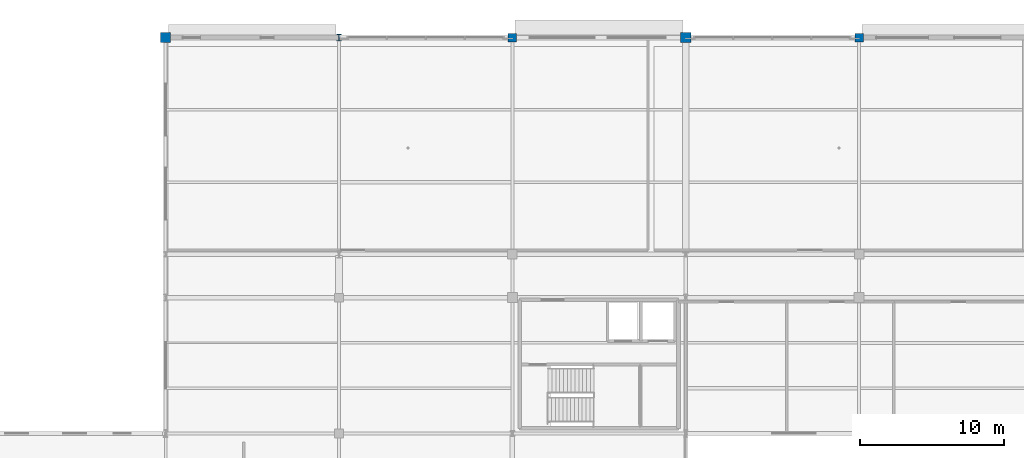
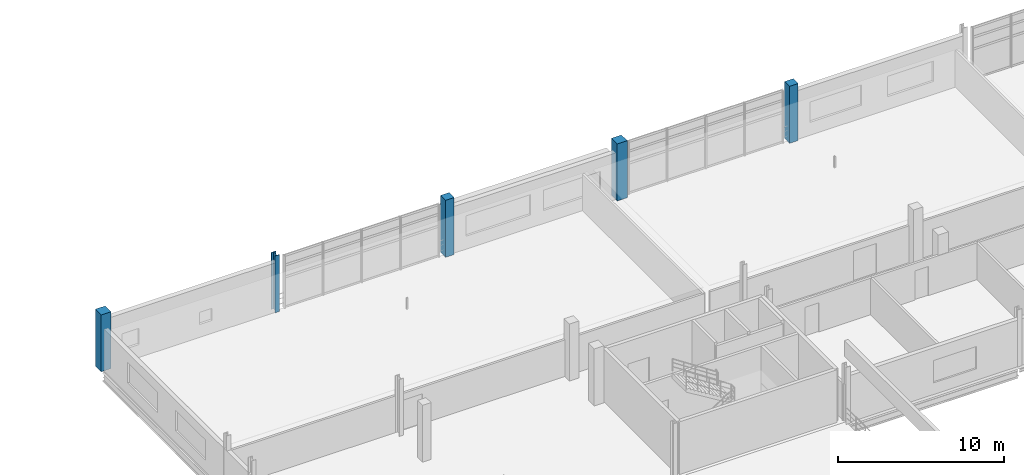
# One storey, part 23 of 89: 5 columns.
"""IFC4 building model written with IfcOpenShell, lengths in metres."""

from ifc_helpers import new_model, si_unit, direction, frame, origin, origin_2d, place, context, subcontext, project, spatial, rectangle, i_section, extrude, material, material_profile, profile_set, type_object, element, save


model = new_model("IFC4")

# Units and contexts
model_context = context("Model", 3, precision=1e-05, world=origin(), true_north=direction((0.0, 1.0)))
body_context = subcontext(model_context, "Body", "Model", "MODEL_VIEW")
ifc_project = project(units=[si_unit("LENGTHUNIT", "METRE"), si_unit("AREAUNIT", "SQUARE_METRE"), si_unit("VOLUMEUNIT", "CUBIC_METRE"), si_unit("PLANEANGLEUNIT", "RADIAN"), si_unit("MASSUNIT", "GRAM", prefix="KILO"), si_unit("THERMODYNAMICTEMPERATUREUNIT", "KELVIN"), si_unit("POWERUNIT", "WATT")], contexts=[model_context])

# Site, building, storey
site_placement = place(None, origin())
site = spatial("IfcSite", under=ifc_project, at=site_placement, CompositionType="ELEMENT")
building_placement = place(site_placement, origin())
building = spatial("IfcBuilding", under=site, at=building_placement, Name="Solmara Park Aquatics Centre", CompositionType="ELEMENT")
storey_placement = place(building_placement, frame((0.0, 0.0, 5.39990234375)))
storey = spatial("IfcBuildingStorey", under=building, at=storey_placement, Name="L01", CompositionType="ELEMENT", Elevation=5.39990234375)

# Columns
ifc_material_1 = material(Name="Structural Steel S355", Category="steel")
ifc_material_profile_1 = material_profile(ifc_material_1, i_section(OverallWidth=0.300048828125, OverallDepth=0.449951171875, WebThickness=0.013916015625, FlangeThickness=0.02587890625, FilletRadius=0.027099609375, at=origin_2d()), Name="HEB 450")
ifc_profile_set_1 = profile_set([ifc_material_profile_1], Name="Structural Steel S355")
column_type_1 = type_object("IfcColumnType", Name="STR-COL-HEB450", PredefinedType="COLUMN", material=ifc_profile_set_1)
column_placement = place(storey_placement, frame((36.60009765625, 136.0, 0.0), z_axis=(0.0, 0.0, 1.0), x_axis=(1.0, 0.0, 0.0)))
element("IfcColumn", 1, at=column_placement, inside=storey, type_object=column_type_1, Name="Column L01-0347", PredefinedType="COLUMN", context=body_context, shape_type="SweptSolid", body=[
    extrude(i_section(OverallWidth=0.300048828125, OverallDepth=0.449951171875, WebThickness=0.013916015625, FlangeThickness=0.02587890625, FilletRadius=0.027099609375, at=origin_2d()), origin(), (0.0, 0.0, 1.0), 4.2001953125),
])
ifc_material_2 = material(Name="Concrete C40/50", Category="concrete")
ifc_material_profile_2 = material_profile(ifc_material_2, rectangle(XDim=0.60009765625, YDim=0.60009765625, at=origin_2d()), Name="RC 600x600")
ifc_profile_set_2 = profile_set([ifc_material_profile_2], Name="Concrete C40/50")
column_type_2 = type_object("IfcColumnType", Name="STR-COL-RC600", PredefinedType="COLUMN", material=ifc_profile_set_2)
for number, where, z_axis, x_axis, name in (
    (2, (48.60009765625, 136.0, 0.0), (0.0, 0.0, 1.0), (1.0, 0.0, 0.0), "Column L01-0357"),
    (3, (72.60009765625, 136.0, 0.0), (0.0, 0.0, 1.0), (1.0, 0.0, 0.0), "Column L01-0375"),
):
    element("IfcColumn", number, at=place(storey_placement, frame(where, z_axis=z_axis, x_axis=x_axis)), inside=storey, type_object=column_type_2, Name=name, PredefinedType="COLUMN", context=body_context, shape_type="SweptSolid", body=[
        extrude(rectangle(XDim=0.60009765625, YDim=0.60009765625, at=origin_2d()), origin(), (0.0, 0.0, 1.0), 4.2001953125),
    ])
ifc_material_profile_3 = material_profile(ifc_material_2, rectangle(XDim=0.699951171875, YDim=0.699951171875, at=origin_2d()), Name="RC 700x700")
ifc_profile_set_3 = profile_set([ifc_material_profile_3], Name="Concrete C40/50")
column_type_3 = type_object("IfcColumnType", Name="STR-COL-RC700", PredefinedType="COLUMN", material=ifc_profile_set_3)
for number, where, z_axis, x_axis, name in (
    (4, (24.60009765625, 136.0, 0.0), (0.0, 0.0, 1.0), (1.0, 0.0, 0.0), "Column L01-0337"),
    (5, (60.60009765625, 136.0, 0.0), (0.0, 0.0, 1.0), (1.0, 0.0, 0.0), "Column L01-0367"),
):
    element("IfcColumn", number, at=place(storey_placement, frame(where, z_axis=z_axis, x_axis=x_axis)), inside=storey, type_object=column_type_3, Name=name, PredefinedType="COLUMN", context=body_context, shape_type="SweptSolid", body=[
        extrude(rectangle(XDim=0.699951171875, YDim=0.699951171875, at=origin_2d()), origin(), (0.0, 0.0, 1.0), 4.2001953125),
    ])

save(model, "model.ifc")
